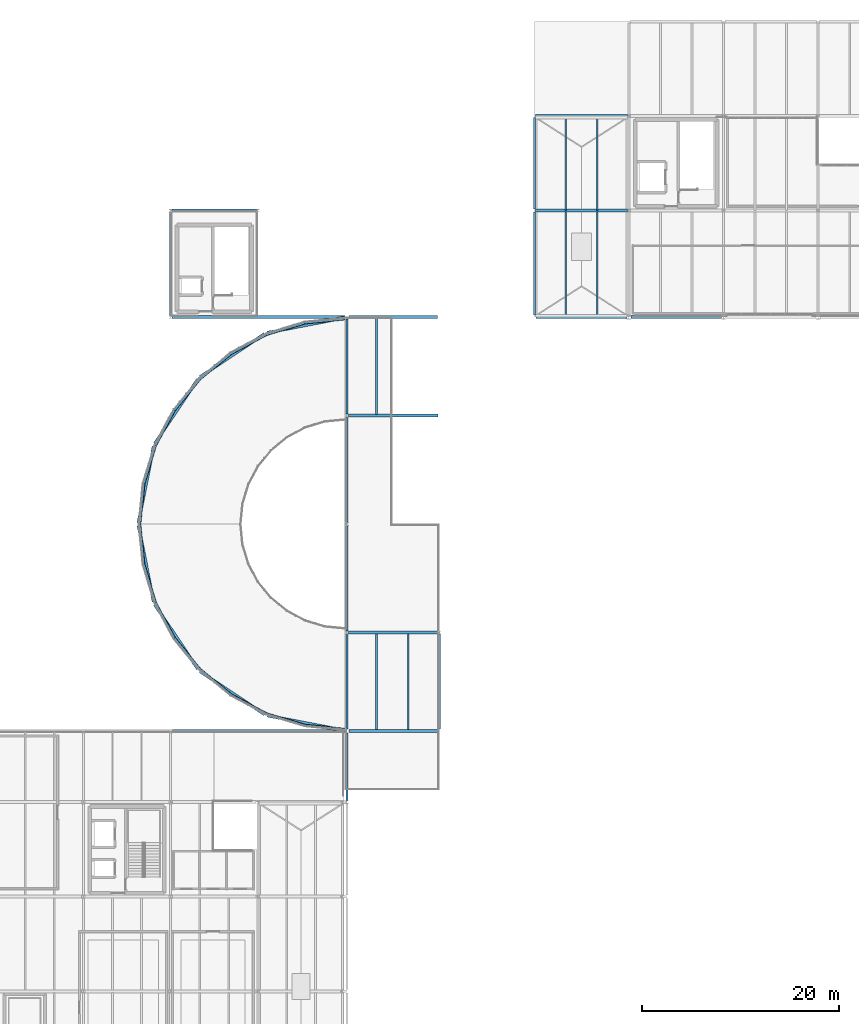
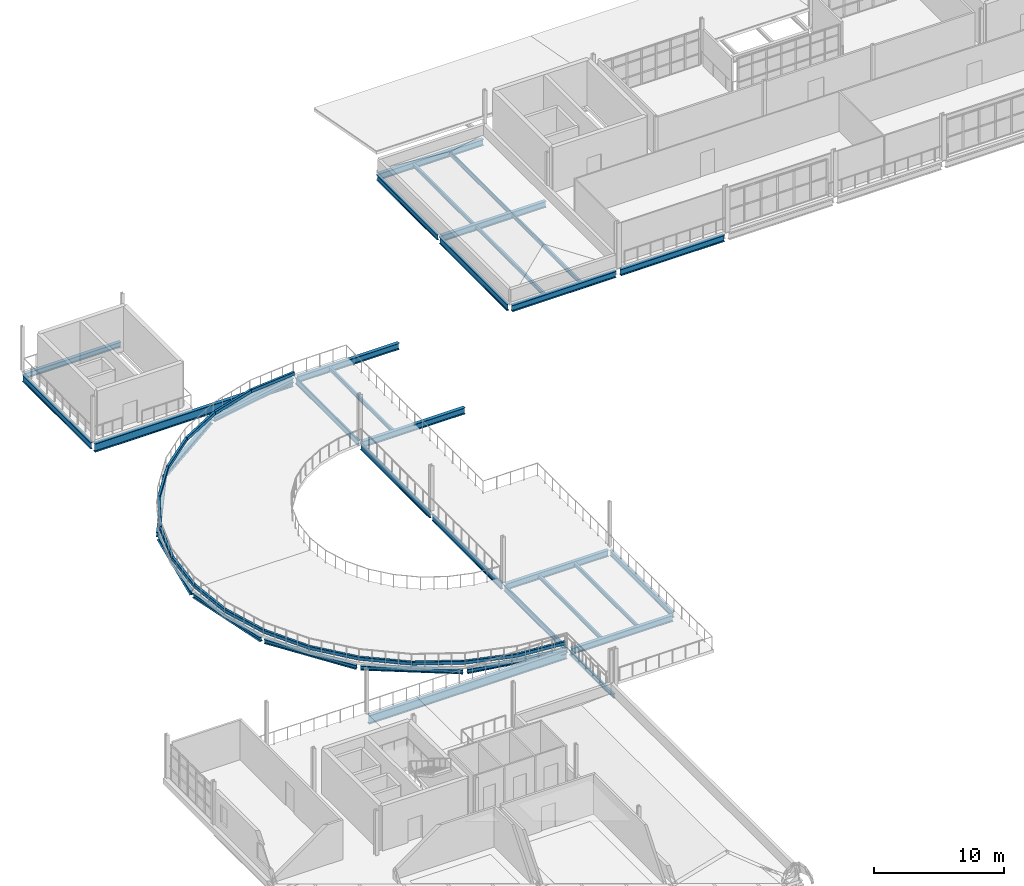
# One storey, part 21 of 58: 51 beams.
"""IFC4 building model written with IfcOpenShell, lengths in metres."""

from ifc_helpers import new_model, si_unit, direction, frame, origin, origin_2d, place, context, subcontext, project, spatial, hollow_rectangle, i_section, extrude, material, material_profile, profile_set, type_object, element, save


model = new_model("IFC4")

# Units and contexts
model_context = context("Model", 3, precision=1e-05, world=origin(), true_north=direction((0.0, 1.0)))
body_context = subcontext(model_context, "Body", "Model", "MODEL_VIEW")
ifc_project = project(units=[si_unit("LENGTHUNIT", "METRE"), si_unit("AREAUNIT", "SQUARE_METRE"), si_unit("VOLUMEUNIT", "CUBIC_METRE"), si_unit("PLANEANGLEUNIT", "RADIAN"), si_unit("MASSUNIT", "GRAM", prefix="KILO")], contexts=[model_context])

# Site, building, storey
site_placement = place(None, origin())
site = spatial("IfcSite", under=ifc_project, at=site_placement, CompositionType="ELEMENT")
building_placement = place(site_placement, origin())
building = spatial("IfcBuilding", under=site, at=building_placement, Name="Yeouljin Market Hall", CompositionType="ELEMENT")
storey_placement = place(building_placement, frame((0.0, 0.0, 10.800048828125)))
storey = spatial("IfcBuildingStorey", under=building, at=storey_placement, Name="L02", CompositionType="ELEMENT", Elevation=10.800048828125)

# Beams
ifc_material_1 = material(Name="Steel SM355", Category="steel")
ifc_material_profile_1 = material_profile(ifc_material_1, i_section(OverallWidth=0.300048828125, OverallDepth=0.389892578125, WebThickness=0.010009765625, FlangeThickness=0.01611328125, FilletRadius=0.01806640625, at=origin_2d()), Name="H-390x300x10x16")
ifc_profile_set_1 = profile_set([ifc_material_profile_1], Name="Steel SM355")
beam_type_1 = type_object("IfcBeamType", Name="Beam_H-390x300x10x16", PredefinedType="BEAM", material=ifc_profile_set_1)
beam_1_placement = place(storey_placement, frame((35.418701171875, 36.0380859375, -0.465087890625), z_axis=(-0.981750802919, 0.190171924764, 0.0), x_axis=(-0.190171924764, -0.981750802919, 0.0)))
element("IfcBeam", 1, at=beam_1_placement, inside=storey, type_object=beam_type_1, Name="Apse ring beam L02 155", PredefinedType="BEAM", context=body_context, shape_type="SweptSolid", body=[
    extrude(i_section(OverallWidth=0.300048828125, OverallDepth=0.389892578125, WebThickness=0.010009765625, FlangeThickness=0.01611328125, FilletRadius=0.01806640625, at=origin_2d()), origin(), (0.0, 0.0, 1.0), 8.04541015625),
])
beam_2_placement = place(storey_placement, frame((27.231201171875, 37.68701171875, -0.465087890625), z_axis=(-0.831472752027, 0.555565534062, 0.0), x_axis=(-0.555565534062, -0.831472752027, 0.0)))
element("IfcBeam", 2, at=beam_2_placement, inside=storey, type_object=beam_type_1, Name="Apse ring beam L02 156", PredefinedType="BEAM", context=body_context, shape_type="SweptSolid", body=[
    extrude(i_section(OverallWidth=0.300048828125, OverallDepth=0.389892578125, WebThickness=0.010009765625, FlangeThickness=0.01611328125, FilletRadius=0.01806640625, at=origin_2d()), origin(), (0.0, 0.0, 1.0), 7.875244140625),
])
beam_3_placement = place(storey_placement, frame((20.46240234375, 42.283203125, -0.465087890625), z_axis=(-0.555586965824, 0.831458431557, 0.0), x_axis=(-0.831458431557, -0.555586965824, 0.0)))
element("IfcBeam", 3, at=beam_3_placement, inside=storey, type_object=beam_type_1, Name="Apse ring beam L02 157", PredefinedType="BEAM", context=body_context, shape_type="SweptSolid", body=[
    extrude(i_section(OverallWidth=0.300048828125, OverallDepth=0.389892578125, WebThickness=0.010009765625, FlangeThickness=0.01611328125, FilletRadius=0.01806640625, at=origin_2d()), origin(), (0.0, 0.0, 1.0), 7.87548828125),
])
for number, where, z_axis, x_axis, name in (
    (4, (15.96728515625, 49.119873046875, -0.465087890625), (-0.195060781765, 0.980791155862, 0.0), (-0.980791155862, -0.195060781765, 0.0), "Apse ring beam L02 158"),
    (5, (14.43115234375, 57.15625, -0.465087890625), (0.195060781765, 0.980791155862, 0.0), (-0.980791155862, 0.195060781765, 0.0), "Apse ring beam L02 159"),
):
    element("IfcBeam", number, at=place(storey_placement, frame(where, z_axis=z_axis, x_axis=x_axis)), inside=storey, type_object=beam_type_1, Name=name, PredefinedType="BEAM", context=body_context, shape_type="SweptSolid", body=[
        extrude(i_section(OverallWidth=0.300048828125, OverallDepth=0.389892578125, WebThickness=0.010009765625, FlangeThickness=0.01611328125, FilletRadius=0.01806640625, at=origin_2d()), origin(), (0.0, 0.0, 1.0), 7.875244140625),
    ])
beam_4_placement = place(storey_placement, frame((16.0869140625, 65.168701171875, -0.465087890625), z_axis=(0.555586965824, 0.831458431557, 0.0), x_axis=(-0.831458431557, 0.555586965824, 0.0)))
element("IfcBeam", 6, at=beam_4_placement, inside=storey, type_object=beam_type_1, Name="Apse ring beam L02 160", PredefinedType="BEAM", context=body_context, shape_type="SweptSolid", body=[
    extrude(i_section(OverallWidth=0.300048828125, OverallDepth=0.389892578125, WebThickness=0.010009765625, FlangeThickness=0.01611328125, FilletRadius=0.01806640625, at=origin_2d()), origin(), (0.0, 0.0, 1.0), 7.87548828125),
])
beam_5_placement = place(storey_placement, frame((20.68310546875, 71.937744140625, -0.465087890625), z_axis=(0.831472752027, 0.555565534062, 0.0), x_axis=(-0.555565534062, 0.831472752027, 0.0)))
element("IfcBeam", 7, at=beam_5_placement, inside=storey, type_object=beam_type_1, Name="Apse ring beam L02 161", PredefinedType="BEAM", context=body_context, shape_type="SweptSolid", body=[
    extrude(i_section(OverallWidth=0.300048828125, OverallDepth=0.389892578125, WebThickness=0.010009765625, FlangeThickness=0.01611328125, FilletRadius=0.01806640625, at=origin_2d()), origin(), (0.0, 0.0, 1.0), 7.875244140625),
])
beam_6_placement = place(storey_placement, frame((27.52001953125, 76.431884765625, -0.465087890625), z_axis=(0.981750802919, 0.190171924764, 0.0), x_axis=(-0.190171924764, 0.981750802919, 0.0)))
element("IfcBeam", 8, at=beam_6_placement, inside=storey, type_object=beam_type_1, Name="Apse ring beam L02 162", PredefinedType="BEAM", context=body_context, shape_type="SweptSolid", body=[
    extrude(i_section(OverallWidth=0.300048828125, OverallDepth=0.389892578125, WebThickness=0.010009765625, FlangeThickness=0.01611328125, FilletRadius=0.01806640625, at=origin_2d()), origin(), (0.0, 0.0, 1.0), 8.04541015625),
])
ifc_material_2 = material(Name="Steel SM355", Category="steel")
ifc_material_profile_2 = material_profile(ifc_material_2, i_section(OverallWidth=0.199951171875, OverallDepth=0.39990234375, WebThickness=0.008056640625, FlangeThickness=0.012939453125, FilletRadius=0.01611328125, at=origin_2d()), Name="H-400x200x8x13")
ifc_profile_set_2 = profile_set([ifc_material_profile_2], Name="Steel SM355")
beam_type_2 = type_object("IfcBeamType", Name="Beam_H-400x200x8x13", PredefinedType="BEAM", material=ifc_profile_set_2)
beam_7_placement = place(storey_placement, frame((35.6025390625, 28.97509765625, -0.469970703125), z_axis=(0.0, 1.0, 0.0), x_axis=(-1.0, 0.0, 0.0)))
element("IfcBeam", 9, at=beam_7_placement, inside=storey, type_object=beam_type_2, Name="Primary beam BM-L02-Y099", PredefinedType="BEAM", context=body_context, shape_type="SweptSolid", body=[
    extrude(i_section(OverallWidth=0.199951171875, OverallDepth=0.39990234375, WebThickness=0.008056640625, FlangeThickness=0.012939453125, FilletRadius=0.01611328125, at=origin_2d()), origin(), (0.0, 0.0, 1.0), 6.824951171875),
])
ifc_material_3 = material(Name="Steel SM355", Category="steel")
ifc_material_profile_3 = material_profile(ifc_material_3, i_section(OverallWidth=0.199951171875, OverallDepth=0.5, WebThickness=0.010009765625, FlangeThickness=0.01611328125, FilletRadius=0.02001953125, at=origin_2d()), Name="H-500x200x10x16")
ifc_profile_set_3 = profile_set([ifc_material_profile_3], Name="Steel SM355")
beam_type_3 = type_object("IfcBeamType", Name="Beam_H-500x200x10x16", PredefinedType="BEAM", material=ifc_profile_set_3)
for number, where, z_axis, x_axis, name in (
    (10, (35.6025390625, 36.199951171875, -0.52001953125), (0.0, 1.0, 0.0), (-1.0, 0.0, 0.0), "Primary beam BM-L02-Y100"),
    (11, (35.6025390625, 68.175048828125, -0.52001953125), (0.0, 1.0, 0.0), (-1.0, 0.0, 0.0), "Primary beam BM-L02-Y103"),
):
    element("IfcBeam", number, at=place(storey_placement, frame(where, z_axis=z_axis, x_axis=x_axis)), inside=storey, type_object=beam_type_3, Name=name, PredefinedType="BEAM", context=body_context, shape_type="SweptSolid", body=[
        extrude(i_section(OverallWidth=0.199951171875, OverallDepth=0.5, WebThickness=0.010009765625, FlangeThickness=0.01611328125, FilletRadius=0.02001953125, at=origin_2d()), origin(), (0.0, 0.0, 1.0), 9.625),
    ])
beam_8_placement = place(storey_placement, frame((45.0, 36.199951171875, -0.52001953125), z_axis=(0.0, 1.0, 0.0), x_axis=(-1.0, 0.0, 0.0)))
element("IfcBeam", 12, at=beam_8_placement, inside=storey, type_object=beam_type_3, Name="Primary beam BM-L02-Y104", PredefinedType="BEAM", context=body_context, shape_type="SweptSolid", body=[
    extrude(i_section(OverallWidth=0.199951171875, OverallDepth=0.5, WebThickness=0.010009765625, FlangeThickness=0.01611328125, FilletRadius=0.02001953125, at=origin_2d()), origin(), (0.0, 0.0, 1.0), 9.650146484375),
])
beam_9_placement = place(storey_placement, frame((54.60009765625, 88.949951171875, -0.51513671875), z_axis=(0.0, 1.0, 0.0), x_axis=(-1.0, 0.0, 0.0)))
element("IfcBeam", 13, at=beam_9_placement, inside=storey, type_object=beam_type_3, Name="Primary beam BM-L02-Y106", PredefinedType="BEAM", context=body_context, shape_type="SweptSolid", body=[
    extrude(i_section(OverallWidth=0.199951171875, OverallDepth=0.5, WebThickness=0.010009765625, FlangeThickness=0.01611328125, FilletRadius=0.02001953125, at=origin_2d()), origin(), (0.0, 0.0, 1.0), 9.300048828125),
])
ifc_material_4 = material(Name="Steel SM355", Category="steel")
ifc_material_profile_4 = material_profile(ifc_material_4, i_section(OverallWidth=0.199951171875, OverallDepth=0.60009765625, WebThickness=0.010986328125, FlangeThickness=0.01708984375, FilletRadius=0.02197265625, at=origin_2d()), Name="H-600x200x11x17")
ifc_profile_set_4 = profile_set([ifc_material_profile_4], Name="Steel SM355")
beam_type_4 = type_object("IfcBeamType", Name="Beam_H-600x200x11x17", PredefinedType="BEAM", material=ifc_profile_set_4)
beam_10_placement = place(storey_placement, frame((17.699951171875, 78.14990234375, -0.56494140625), z_axis=(0.0, 1.0, 0.0), x_axis=(-1.0, 0.0, 0.0)))
element("IfcBeam", 14, at=beam_10_placement, inside=storey, type_object=beam_type_4, Name="Primary beam BM-L02-Y089", PredefinedType="BEAM", context=body_context, shape_type="SweptSolid", body=[
    extrude(i_section(OverallWidth=0.199951171875, OverallDepth=0.60009765625, WebThickness=0.010986328125, FlangeThickness=0.01708984375, FilletRadius=0.02197265625, at=origin_2d()), origin(), (0.0, 0.0, 1.0), 10.5),
])
for number, where, z_axis, x_axis, name in (
    (15, (35.590087890625, 46.175048828125, -0.570068359375), (0.0, 1.0, 0.0), (-1.0, 0.0, 0.0), "Primary beam BM-L02-Y101"),
    (16, (35.590087890625, 57.175048828125, -0.570068359375), (0.0, 1.0, 0.0), (-1.0, 0.0, 0.0), "Primary beam BM-L02-Y102"),
):
    element("IfcBeam", number, at=place(storey_placement, frame(where, z_axis=z_axis, x_axis=x_axis)), inside=storey, type_object=beam_type_4, Name=name, PredefinedType="BEAM", context=body_context, shape_type="SweptSolid", body=[
        extrude(i_section(OverallWidth=0.199951171875, OverallDepth=0.60009765625, WebThickness=0.010986328125, FlangeThickness=0.01708984375, FilletRadius=0.02197265625, at=origin_2d()), origin(), (0.0, 0.0, 1.0), 10.64990234375),
    ])
beam_11_placement = place(storey_placement, frame((54.60009765625, 78.199951171875, -0.56494140625), z_axis=(0.0, 1.0, 0.0), x_axis=(-1.0, 0.0, 0.0)))
element("IfcBeam", 17, at=beam_11_placement, inside=storey, type_object=beam_type_4, Name="Primary beam BM-L02-Y105", PredefinedType="BEAM", context=body_context, shape_type="SweptSolid", body=[
    extrude(i_section(OverallWidth=0.199951171875, OverallDepth=0.60009765625, WebThickness=0.010986328125, FlangeThickness=0.01708984375, FilletRadius=0.02197265625, at=origin_2d()), origin(), (0.0, 0.0, 1.0), 10.449951171875),
])
ifc_material_5 = material(Name="Steel SM355", Category="steel")
ifc_material_profile_5 = material_profile(ifc_material_5, hollow_rectangle(XDim=0.199951171875, YDim=0.300048828125, WallThickness=0.009033203125, InnerFilletRadius=0.009033203125, OuterFilletRadius=0.01611328125, at=origin_2d()), Name="RHS-300x200x9")
ifc_profile_set_5 = profile_set([ifc_material_profile_5], Name="Steel SM355")
beam_type_5 = type_object("IfcBeamType", Name="Beam_RHS-300x200x9", PredefinedType="BEAM", material=ifc_profile_set_5)
for number, where, z_axis, x_axis, name in (
    (18, (35.39990234375, 36.199951171875, 0.25), (-0.995184876277, 0.09801562135, 0.0), (-0.09801562135, -0.995184876277, 0.0), "Apse eaves ring beam west 01"),
    (19, (31.342041015625, 36.599609375, 0.25), (-0.956941777734, 0.290279923568, 0.0), (-0.290279923568, -0.956941777734, 0.0), "Apse eaves ring beam west 02"),
):
    element("IfcBeam", number, at=place(storey_placement, frame(where, z_axis=z_axis, x_axis=x_axis)), inside=storey, type_object=beam_type_5, Name=name, PredefinedType="BEAM", context=body_context, shape_type="SweptSolid", body=[
        extrude(hollow_rectangle(XDim=0.199951171875, YDim=0.300048828125, WallThickness=0.009033203125, InnerFilletRadius=0.009033203125, OuterFilletRadius=0.01611328125, at=origin_2d()), origin(), (0.0, 0.0, 1.0), 4.077392578125),
    ])
for number, where, z_axis, x_axis, name in (
    (20, (27.440185546875, 37.783203125, 0.25), (-0.881929952076, 0.471380482871, 0.0), (-0.471380482871, -0.881929952076, 0.0), "Apse eaves ring beam west 03"),
    (21, (23.843994140625, 39.705322265625, 0.25), (-0.772980009623, 0.634430378153, 0.0), (-0.634430378153, -0.772980009623, 0.0), "Apse eaves ring beam west 04"),
):
    element("IfcBeam", number, at=place(storey_placement, frame(where, z_axis=z_axis, x_axis=x_axis)), inside=storey, type_object=beam_type_5, Name=name, PredefinedType="BEAM", context=body_context, shape_type="SweptSolid", body=[
        extrude(hollow_rectangle(XDim=0.199951171875, YDim=0.300048828125, WallThickness=0.009033203125, InnerFilletRadius=0.009033203125, OuterFilletRadius=0.01611328125, at=origin_2d()), origin(), (0.0, 0.0, 1.0), 4.07763671875),
    ])
beam_12_placement = place(storey_placement, frame((20.692138671875, 42.292236328125, 0.25), z_axis=(-0.634394601205, 0.773009372493, 0.0), x_axis=(-0.773009372493, -0.634394601205, 0.0)))
element("IfcBeam", 22, at=beam_12_placement, inside=storey, type_object=beam_type_5, Name="Apse eaves ring beam west 05", PredefinedType="BEAM", context=body_context, shape_type="SweptSolid", body=[
    extrude(hollow_rectangle(XDim=0.199951171875, YDim=0.300048828125, WallThickness=0.009033203125, InnerFilletRadius=0.009033203125, OuterFilletRadius=0.01611328125, at=origin_2d()), origin(), (0.0, 0.0, 1.0), 4.077392578125),
])
beam_13_placement = place(storey_placement, frame((18.10546875, 45.444091796875, 0.25), z_axis=(-0.471380482871, 0.881929952076, 0.0), x_axis=(-0.881929952076, -0.471380482871, 0.0)))
element("IfcBeam", 23, at=beam_13_placement, inside=storey, type_object=beam_type_5, Name="Apse eaves ring beam west 06", PredefinedType="BEAM", context=body_context, shape_type="SweptSolid", body=[
    extrude(hollow_rectangle(XDim=0.199951171875, YDim=0.300048828125, WallThickness=0.009033203125, InnerFilletRadius=0.009033203125, OuterFilletRadius=0.01611328125, at=origin_2d()), origin(), (0.0, 0.0, 1.0), 4.07763671875),
])
for number, where, z_axis, x_axis, name in (
    (24, (16.183349609375, 49.040283203125, 0.25), (-0.290279923568, 0.956941777734, 0.0), (-0.956941777734, -0.290279923568, 0.0), "Apse eaves ring beam west 07"),
    (25, (14.999755859375, 52.942138671875, 0.25), (-0.09801562135, 0.995184876277, 0.0), (-0.995184876277, -0.09801562135, 0.0), "Apse eaves ring beam west 08"),
    (26, (14.60009765625, 57.0, 0.25), (0.09801562135, 0.995184876277, 0.0), (-0.995184876277, 0.09801562135, 0.0), "Apse eaves ring beam west 09"),
    (27, (14.999755859375, 61.057861328125, 0.25), (0.290279923568, 0.956941777734, 0.0), (-0.956941777734, 0.290279923568, 0.0), "Apse eaves ring beam west 10"),
):
    element("IfcBeam", number, at=place(storey_placement, frame(where, z_axis=z_axis, x_axis=x_axis)), inside=storey, type_object=beam_type_5, Name=name, PredefinedType="BEAM", context=body_context, shape_type="SweptSolid", body=[
        extrude(hollow_rectangle(XDim=0.199951171875, YDim=0.300048828125, WallThickness=0.009033203125, InnerFilletRadius=0.009033203125, OuterFilletRadius=0.01611328125, at=origin_2d()), origin(), (0.0, 0.0, 1.0), 4.077392578125),
    ])
beam_14_placement = place(storey_placement, frame((16.183349609375, 64.959716796875, 0.25), z_axis=(0.471380482871, 0.881929952076, 0.0), x_axis=(-0.881929952076, 0.471380482871, 0.0)))
element("IfcBeam", 28, at=beam_14_placement, inside=storey, type_object=beam_type_5, Name="Apse eaves ring beam west 11", PredefinedType="BEAM", context=body_context, shape_type="SweptSolid", body=[
    extrude(hollow_rectangle(XDim=0.199951171875, YDim=0.300048828125, WallThickness=0.009033203125, InnerFilletRadius=0.009033203125, OuterFilletRadius=0.01611328125, at=origin_2d()), origin(), (0.0, 0.0, 1.0), 4.07763671875),
])
beam_15_placement = place(storey_placement, frame((18.10546875, 68.555908203125, 0.25), z_axis=(0.634394601205, 0.773009372493, 0.0), x_axis=(-0.773009372493, 0.634394601205, 0.0)))
element("IfcBeam", 29, at=beam_15_placement, inside=storey, type_object=beam_type_5, Name="Apse eaves ring beam west 12", PredefinedType="BEAM", context=body_context, shape_type="SweptSolid", body=[
    extrude(hollow_rectangle(XDim=0.199951171875, YDim=0.300048828125, WallThickness=0.009033203125, InnerFilletRadius=0.009033203125, OuterFilletRadius=0.01611328125, at=origin_2d()), origin(), (0.0, 0.0, 1.0), 4.077392578125),
])
for number, where, z_axis, x_axis, name in (
    (30, (20.692138671875, 71.707763671875, 0.25), (0.772980009623, 0.634430378153, 0.0), (-0.634430378153, 0.772980009623, 0.0), "Apse eaves ring beam west 13"),
    (31, (23.843994140625, 74.294677734375, 0.25), (0.881929952076, 0.471380482871, 0.0), (-0.471380482871, 0.881929952076, 0.0), "Apse eaves ring beam west 14"),
):
    element("IfcBeam", number, at=place(storey_placement, frame(where, z_axis=z_axis, x_axis=x_axis)), inside=storey, type_object=beam_type_5, Name=name, PredefinedType="BEAM", context=body_context, shape_type="SweptSolid", body=[
        extrude(hollow_rectangle(XDim=0.199951171875, YDim=0.300048828125, WallThickness=0.009033203125, InnerFilletRadius=0.009033203125, OuterFilletRadius=0.01611328125, at=origin_2d()), origin(), (0.0, 0.0, 1.0), 4.07763671875),
    ])
for number, where, z_axis, x_axis, name in (
    (32, (27.440185546875, 76.216796875, 0.25), (0.956941777734, 0.290279923568, 0.0), (-0.290279923568, 0.956941777734, 0.0), "Apse eaves ring beam west 15"),
    (33, (31.342041015625, 77.400390625, 0.25), (0.995184876277, 0.09801562135, 0.0), (-0.09801562135, 0.995184876277, 0.0), "Apse eaves ring beam west 16"),
):
    element("IfcBeam", number, at=place(storey_placement, frame(where, z_axis=z_axis, x_axis=x_axis)), inside=storey, type_object=beam_type_5, Name=name, PredefinedType="BEAM", context=body_context, shape_type="SweptSolid", body=[
        extrude(hollow_rectangle(XDim=0.199951171875, YDim=0.300048828125, WallThickness=0.009033203125, InnerFilletRadius=0.009033203125, OuterFilletRadius=0.01611328125, at=origin_2d()), origin(), (0.0, 0.0, 1.0), 4.077392578125),
    ])
ifc_material_6 = material(Name="Steel SM355", Category="steel")
ifc_material_profile_6 = material_profile(ifc_material_6, i_section(OverallWidth=0.300048828125, OverallDepth=0.488037109375, WebThickness=0.010986328125, FlangeThickness=0.01806640625, FilletRadius=0.02197265625, at=origin_2d()), Name="H-488x300x11x18")
ifc_profile_set_6 = profile_set([ifc_material_profile_6], Name="Steel SM355")
beam_type_6 = type_object("IfcBeamType", Name="Girder_H-488x300x11x18", PredefinedType="USERDEFINED", material=ifc_profile_set_6)
beam_16_placement = place(storey_placement, frame((17.85009765625, 88.800048828125, -0.509033203125), z_axis=(1.0, 0.0, 0.0), x_axis=(0.0, 1.0, 0.0)))
element("IfcBeam", 34, at=beam_16_placement, inside=storey, type_object=beam_type_6, Name="Primary girder GRD-L02-X056", ObjectType="GIRDER", PredefinedType="USERDEFINED", context=body_context, shape_type="SweptSolid", body=[
    extrude(i_section(OverallWidth=0.300048828125, OverallDepth=0.488037109375, WebThickness=0.010986328125, FlangeThickness=0.01806640625, FilletRadius=0.02197265625, at=origin_2d()), origin(), (0.0, 0.0, 1.0), 8.5498046875),
])
ifc_material_7 = material(Name="Steel SM355", Category="steel")
ifc_material_profile_7 = material_profile(ifc_material_7, i_section(OverallWidth=0.300048828125, OverallDepth=0.587890625, WebThickness=0.011962890625, FlangeThickness=0.02001953125, FilletRadius=0.02392578125, at=origin_2d()), Name="H-588x300x12x20")
ifc_profile_set_7 = profile_set([ifc_material_profile_7], Name="Steel SM355")
beam_type_7 = type_object("IfcBeamType", Name="Girder_H-588x300x12x20", PredefinedType="USERDEFINED", material=ifc_profile_set_7)
beam_17_placement = place(storey_placement, frame((35.81494140625, 36.0, -0.56396484375), z_axis=(1.0, 0.0, 0.0), x_axis=(0.0, 1.0, 0.0)))
element("IfcBeam", 35, at=beam_17_placement, inside=storey, type_object=beam_type_7, Name="Primary girder GRD-L02-X036", ObjectType="GIRDER", PredefinedType="USERDEFINED", context=body_context, shape_type="SweptSolid", body=[
    extrude(i_section(OverallWidth=0.300048828125, OverallDepth=0.587890625, WebThickness=0.011962890625, FlangeThickness=0.02001953125, FilletRadius=0.02392578125, at=origin_2d()), origin(), (0.0, 0.0, 1.0), 8.985107421875),
])
for number, where, z_axis, x_axis, name in (
    (36, (35.764892578125, 46.0, -0.56396484375), (1.0, 0.0, 0.0), (0.0, 1.0, 0.0), "Primary girder GRD-L02-X041"),
    (37, (35.764892578125, 68.0, -0.56396484375), (1.0, 0.0, 0.0), (0.0, 1.0, 0.0), "Primary girder GRD-L02-X043"),
):
    element("IfcBeam", number, at=place(storey_placement, frame(where, z_axis=z_axis, x_axis=x_axis)), inside=storey, type_object=beam_type_7, Name=name, ObjectType="GIRDER", PredefinedType="USERDEFINED", context=body_context, shape_type="SweptSolid", body=[
        extrude(i_section(OverallWidth=0.300048828125, OverallDepth=0.587890625, WebThickness=0.011962890625, FlangeThickness=0.02001953125, FilletRadius=0.02392578125, at=origin_2d()), origin(), (0.0, 0.0, 1.0), 9.085205078125),
    ])
beam_18_placement = place(storey_placement, frame((35.81494140625, 78.0, -0.56396484375), z_axis=(1.0, 0.0, 0.0), x_axis=(0.0, 1.0, 0.0)))
element("IfcBeam", 38, at=beam_18_placement, inside=storey, type_object=beam_type_7, Name="Primary girder GRD-L02-X046", ObjectType="GIRDER", PredefinedType="USERDEFINED", context=body_context, shape_type="SweptSolid", body=[
    extrude(i_section(OverallWidth=0.300048828125, OverallDepth=0.587890625, WebThickness=0.011962890625, FlangeThickness=0.02001953125, FilletRadius=0.02392578125, at=origin_2d()), origin(), (0.0, 0.0, 1.0), 8.985107421875),
])
beam_19_placement = place(storey_placement, frame((54.800048828125, 78.0, -0.55908203125), z_axis=(1.0, 0.0, 0.0), x_axis=(0.0, 1.0, 0.0)))
element("IfcBeam", 39, at=beam_19_placement, inside=storey, type_object=beam_type_7, Name="Primary girder GRD-L02-X047", ObjectType="GIRDER", PredefinedType="USERDEFINED", context=body_context, shape_type="SweptSolid", body=[
    extrude(i_section(OverallWidth=0.300048828125, OverallDepth=0.587890625, WebThickness=0.011962890625, FlangeThickness=0.02001953125, FilletRadius=0.02392578125, at=origin_2d()), origin(), (0.0, 0.0, 1.0), 9.199951171875),
])
beam_20_placement = place(storey_placement, frame((64.39990234375, 78.0, -0.549072265625), z_axis=(1.0, 0.0, 0.0), x_axis=(0.0, 1.0, 0.0)))
element("IfcBeam", 40, at=beam_20_placement, inside=storey, type_object=beam_type_7, Name="Primary girder GRD-L02-X048", ObjectType="GIRDER", PredefinedType="USERDEFINED", context=body_context, shape_type="SweptSolid", body=[
    extrude(i_section(OverallWidth=0.300048828125, OverallDepth=0.587890625, WebThickness=0.011962890625, FlangeThickness=0.02001953125, FilletRadius=0.02392578125, at=origin_2d()), origin(), (0.0, 0.0, 1.0), 9.2001953125),
])
for number, where, z_axis, x_axis, name in (
    (41, (54.75, 88.800048828125, -0.55908203125), (1.0, 0.0, 0.0), (0.0, 1.0, 0.0), "Primary girder GRD-L02-X057"),
    (42, (54.75, 98.39990234375, -0.593994140625), (1.0, 0.0, 0.0), (0.0, 1.0, 0.0), "Primary girder GRD-L02-X065"),
):
    element("IfcBeam", number, at=place(storey_placement, frame(where, z_axis=z_axis, x_axis=x_axis)), inside=storey, type_object=beam_type_7, Name=name, ObjectType="GIRDER", PredefinedType="USERDEFINED", context=body_context, shape_type="SweptSolid", body=[
        extrude(i_section(OverallWidth=0.300048828125, OverallDepth=0.587890625, WebThickness=0.011962890625, FlangeThickness=0.02001953125, FilletRadius=0.02392578125, at=origin_2d()), origin(), (0.0, 0.0, 1.0), 9.300048828125),
    ])
ifc_material_8 = material(Name="Steel SM355", Category="steel")
ifc_material_profile_8 = material_profile(ifc_material_8, i_section(OverallWidth=0.300048828125, OverallDepth=0.800048828125, WebThickness=0.013916015625, FlangeThickness=0.02587890625, FilletRadius=0.028076171875, at=origin_2d()), Name="H-800x300x14x26")
ifc_profile_set_8 = profile_set([ifc_material_profile_8], Name="Steel SM355")
beam_type_8 = type_object("IfcBeamType", Name="Girder_H-800x300x14x26", PredefinedType="USERDEFINED", material=ifc_profile_set_8)
beam_21_placement = place(storey_placement, frame((17.875, 36.0, -0.670166015625), z_axis=(1.0, 0.0, 0.0), x_axis=(0.0, 1.0, 0.0)))
element("IfcBeam", 43, at=beam_21_placement, inside=storey, type_object=beam_type_8, Name="Primary girder GRD-L02-X035", ObjectType="GIRDER", PredefinedType="USERDEFINED", context=body_context, shape_type="SweptSolid", body=[
    extrude(i_section(OverallWidth=0.300048828125, OverallDepth=0.800048828125, WebThickness=0.013916015625, FlangeThickness=0.02587890625, FilletRadius=0.028076171875, at=origin_2d()), origin(), (0.0, 0.0, 1.0), 17.5400390625),
])
beam_22_placement = place(storey_placement, frame((17.85009765625, 78.0, -0.670166015625), z_axis=(1.0, 0.0, 0.0), x_axis=(0.0, 1.0, 0.0)))
element("IfcBeam", 44, at=beam_22_placement, inside=storey, type_object=beam_type_8, Name="Primary girder GRD-L02-X045", ObjectType="GIRDER", PredefinedType="USERDEFINED", context=body_context, shape_type="SweptSolid", body=[
    extrude(i_section(OverallWidth=0.300048828125, OverallDepth=0.800048828125, WebThickness=0.013916015625, FlangeThickness=0.02587890625, FilletRadius=0.028076171875, at=origin_2d()), origin(), (0.0, 0.0, 1.0), 17.56494140625),
])
ifc_material_9 = material(Name="Steel SM355", Category="steel")
ifc_material_profile_9 = material_profile(ifc_material_9, i_section(OverallWidth=0.175048828125, OverallDepth=0.35009765625, WebThickness=0.007080078125, FlangeThickness=0.010986328125, FilletRadius=0.013916015625, at=origin_2d()), Name="H-350x175x7x11")
ifc_profile_set_9 = profile_set([ifc_material_profile_9], Name="Steel SM355")
beam_type_9 = type_object("IfcBeamType", Name="Joist_H-350x175x7x11", PredefinedType="JOIST", material=ifc_profile_set_9)
for number, where, z_axis, x_axis, name in (
    (45, (38.60009765625, 36.14697265625, -0.445068359375), (0.0, 1.0, 0.0), (-1.0, 0.0, 0.0), "Secondary floor joist L02-025"),
    (46, (41.800048828125, 36.14697265625, -0.445068359375), (0.0, 1.0, 0.0), (-1.0, 0.0, 0.0), "Secondary floor joist L02-026"),
    (47, (38.60009765625, 68.14697265625, -0.445068359375), (0.0, 1.0, 0.0), (-1.0, 0.0, 0.0), "Secondary floor joist L02-027"),
):
    element("IfcBeam", number, at=place(storey_placement, frame(where, z_axis=z_axis, x_axis=x_axis)), inside=storey, type_object=beam_type_9, Name=name, PredefinedType="JOIST", context=body_context, shape_type="SweptSolid", body=[
        extrude(i_section(OverallWidth=0.175048828125, OverallDepth=0.35009765625, WebThickness=0.007080078125, FlangeThickness=0.010986328125, FilletRadius=0.013916015625, at=origin_2d()), origin(), (0.0, 0.0, 1.0), 9.7060546875),
    ])
for number, where, z_axis, x_axis, name in (
    (48, (57.800048828125, 78.14697265625, -0.43994140625), (0.0, 1.0, 0.0), (-1.0, 0.0, 0.0), "Secondary floor joist L02-028"),
    (49, (61.0, 78.14697265625, -0.43994140625), (0.0, 1.0, 0.0), (-1.0, 0.0, 0.0), "Secondary floor joist L02-029"),
):
    element("IfcBeam", number, at=place(storey_placement, frame(where, z_axis=z_axis, x_axis=x_axis)), inside=storey, type_object=beam_type_9, Name=name, PredefinedType="JOIST", context=body_context, shape_type="SweptSolid", body=[
        extrude(i_section(OverallWidth=0.175048828125, OverallDepth=0.35009765625, WebThickness=0.007080078125, FlangeThickness=0.010986328125, FilletRadius=0.013916015625, at=origin_2d()), origin(), (0.0, 0.0, 1.0), 10.506103515625),
    ])
for number, where, z_axis, x_axis, name in (
    (50, (57.800048828125, 88.805908203125, -0.47509765625), (0.0, 1.0, 0.0), (-1.0, 0.0, 0.0), "Secondary floor joist L02-030"),
    (51, (61.0, 88.805908203125, -0.47509765625), (0.0, 1.0, 0.0), (-1.0, 0.0, 0.0), "Secondary floor joist L02-031"),
):
    element("IfcBeam", number, at=place(storey_placement, frame(where, z_axis=z_axis, x_axis=x_axis)), inside=storey, type_object=beam_type_9, Name=name, PredefinedType="JOIST", context=body_context, shape_type="SweptSolid", body=[
        extrude(i_section(OverallWidth=0.175048828125, OverallDepth=0.35009765625, WebThickness=0.007080078125, FlangeThickness=0.010986328125, FilletRadius=0.013916015625, at=origin_2d()), origin(), (0.0, 0.0, 1.0), 9.447021484375),
    ])

save(model, "model.ifc")
